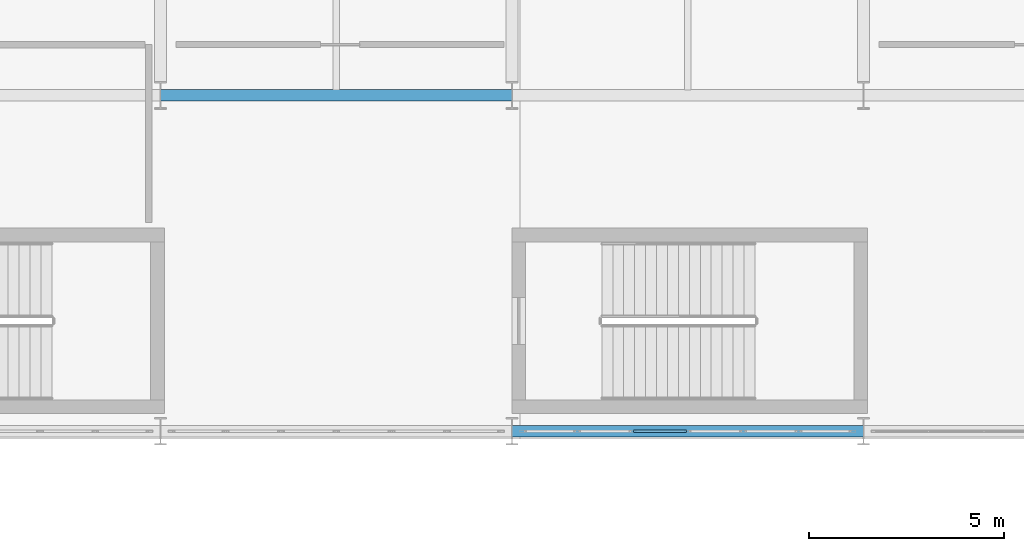
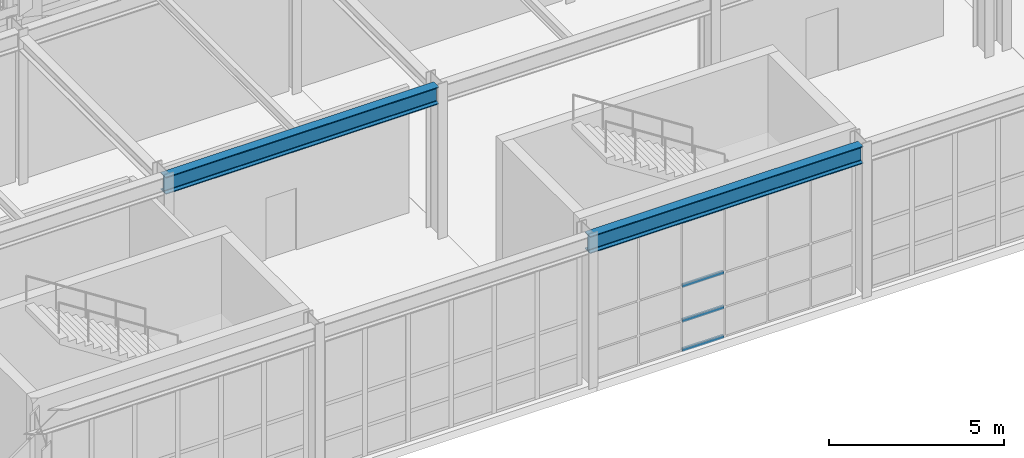
# One storey, part 63 of 210: 4 members, 2 beams, 1 element without a shape of its own.
"""IFC4 building model written with IfcOpenShell, lengths in metres."""

from ifc_helpers import new_model, si_unit, direction, frame, origin, origin_2d, place, context, subcontext, project, spatial, hollow_rectangle, i_section, extrude, material, material_profile, profile_set, type_object, element, aggregate, save


model = new_model("IFC4")

# Units and contexts
model_context = context("Model", 3, precision=1e-05, world=origin(), true_north=direction((0.0, 1.0)))
body_context = subcontext(model_context, "Body", "Model", "MODEL_VIEW")
ifc_project = project(units=[si_unit("LENGTHUNIT", "METRE"), si_unit("AREAUNIT", "SQUARE_METRE"), si_unit("VOLUMEUNIT", "CUBIC_METRE"), si_unit("PLANEANGLEUNIT", "RADIAN"), si_unit("MASSUNIT", "GRAM", prefix="KILO")], contexts=[model_context])

# Site, building, storey
site_placement = place(None, origin())
site = spatial("IfcSite", under=ifc_project, at=site_placement, CompositionType="ELEMENT")
building_placement = place(site_placement, origin())
building = spatial("IfcBuilding", under=site, at=building_placement, Name="Kaldris Quays Convention Centre", CompositionType="ELEMENT")
storey_placement = place(building_placement, frame((0.0, 0.0, 6.0)))
storey = spatial("IfcBuildingStorey", under=building, at=storey_placement, Name="L01", CompositionType="ELEMENT", Elevation=6.0)

# Curtain wall, members
ifc_material_1 = material(Name="Anodized aluminium AW-6060 and triple glazing", Category="aluminium")
curtain_wall_type = type_object("IfcCurtainWallType", Name="UNITISED CURTAIN WALL CW04", PredefinedType="NOTDEFINED", material=ifc_material_1)
curtain_wall_placement = place(storey_placement, origin())
curtain_wall = element("IfcCurtainWall", 1, at=curtain_wall_placement, inside=storey, type_object=curtain_wall_type, Name="L01 Unitised Curtain Wall CW04 112", PredefinedType="NOTDEFINED")
ifc_material_2 = material(Name="Anodized aluminium AW-6060", Category="aluminium")
ifc_material_profile_1 = material_profile(ifc_material_2, hollow_rectangle(XDim=0.06005859375, YDim=0.1201171875, WallThickness=0.00390625, at=origin_2d()), Name="RHS 120x60x4")
ifc_profile_set_1 = profile_set([ifc_material_profile_1], Name="Anodized aluminium AW-6060")
member_type = type_object("IfcMemberType", Name="CURTAIN TRANSOM CWT1", PredefinedType="USERDEFINED", material=ifc_profile_set_1)
member_1_placement = place(storey_placement, frame((131.11328125, 38.0, 0.030029296875), z_axis=(1.0, 0.0, 0.0), x_axis=(0.0, 1.0, 0.0)))
member_1 = element("IfcMember", 2, at=member_1_placement, type_object=member_type, Name="CW04 transom 3.1", ObjectType="TRANSOM", PredefinedType="USERDEFINED", context=body_context, shape_type="SweptSolid", body=[
    extrude(hollow_rectangle(XDim=0.06005859375, YDim=0.1201171875, WallThickness=0.00390625, at=origin_2d()), origin(), (0.0, 0.0, 1.0), 1.356689453125),
])
member_2_placement = place(storey_placement, frame((131.11328125, 38.0, 1.050048828125), z_axis=(1.0, 0.0, 0.0), x_axis=(0.0, 1.0, 0.0)))
member_2 = element("IfcMember", 3, at=member_2_placement, type_object=member_type, Name="CW04 transom 3.2", ObjectType="TRANSOM", PredefinedType="USERDEFINED", context=body_context, shape_type="SweptSolid", body=[
    extrude(hollow_rectangle(XDim=0.06005859375, YDim=0.1201171875, WallThickness=0.00390625, at=origin_2d()), origin(), (0.0, 0.0, 1.0), 1.356689453125),
])
member_3_placement = place(storey_placement, frame((131.11328125, 38.0, 2.259033203125), z_axis=(1.0, 0.0, 0.0), x_axis=(0.0, 1.0, 0.0)))
member_3 = element("IfcMember", 4, at=member_3_placement, type_object=member_type, Name="CW04 transom 3.3", ObjectType="TRANSOM", PredefinedType="USERDEFINED", context=body_context, shape_type="SweptSolid", body=[
    extrude(hollow_rectangle(XDim=0.06005859375, YDim=0.1201171875, WallThickness=0.00390625, at=origin_2d()), origin(), (0.0, 0.0, 1.0), 1.356689453125),
])
member_4_placement = place(storey_placement, frame((131.11328125, 38.0, 4.488037109375), z_axis=(1.0, 0.0, 0.0), x_axis=(0.0, 1.0, 0.0)))
member_4 = element("IfcMember", 5, at=member_4_placement, type_object=member_type, Name="CW04 transom 3.4", ObjectType="TRANSOM", PredefinedType="USERDEFINED", context=body_context, shape_type="SweptSolid", body=[
    extrude(hollow_rectangle(XDim=0.06005859375, YDim=0.1201171875, WallThickness=0.00390625, at=origin_2d()), origin(), (0.0, 0.0, 1.0), 1.356689453125),
])
aggregate(curtain_wall, [member_1, member_2, member_3, member_4])

# Beams
ifc_material_3 = material(Name="Steel S355J2", Category="steel")
ifc_material_profile_2 = material_profile(ifc_material_3, i_section(OverallWidth=0.300048828125, OverallDepth=0.60009765625, WebThickness=0.015380859375, FlangeThickness=0.030029296875, FilletRadius=0.027099609375, at=origin_2d()), Name="HEB 600")
ifc_profile_set_2 = profile_set([ifc_material_profile_2], Name="Steel S355J2")
beam_type = type_object("IfcBeamType", Name="STRUCTURAL BEAM BM05", PredefinedType="BEAM", material=ifc_profile_set_2)
for number, where, z_axis, x_axis, name in (
    (6, (128.00244140625, 38.0, 4.843017578125), (1.0, 0.0, 0.0), (0.0, 1.0, 0.0), "L01 Girder BM05 6"),
    (7, (119.00244140625, 46.60009765625, 4.843017578125), (1.0, 0.0, 0.0), (0.0, 1.0, 0.0), "L01 Girder BM05 14"),
):
    element("IfcBeam", number, at=place(storey_placement, frame(where, z_axis=z_axis, x_axis=x_axis)), inside=storey, type_object=beam_type, Name=name, PredefinedType="BEAM", context=body_context, shape_type="SweptSolid", body=[
        extrude(i_section(OverallWidth=0.300048828125, OverallDepth=0.60009765625, WebThickness=0.015380859375, FlangeThickness=0.030029296875, FilletRadius=0.027099609375, at=origin_2d()), origin(), (0.0, 0.0, 1.0), 8.9951171875),
    ])

save(model, "model.ifc")
